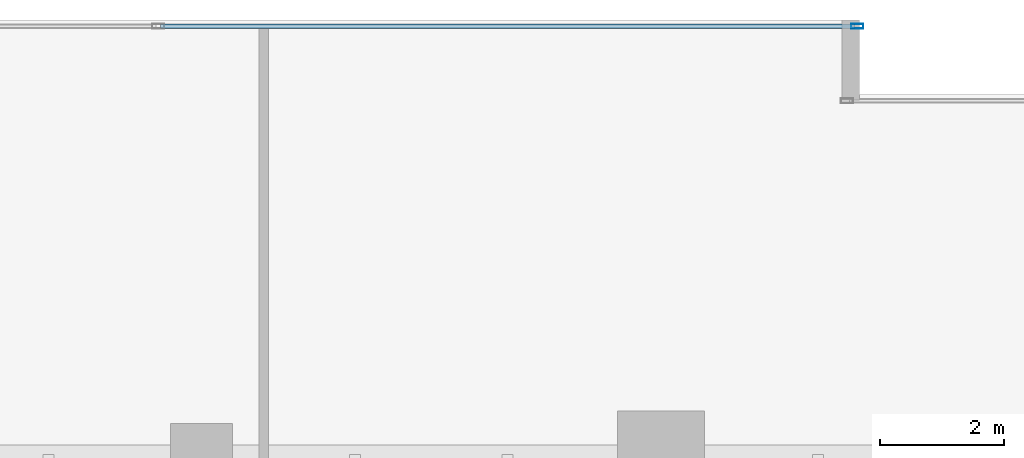
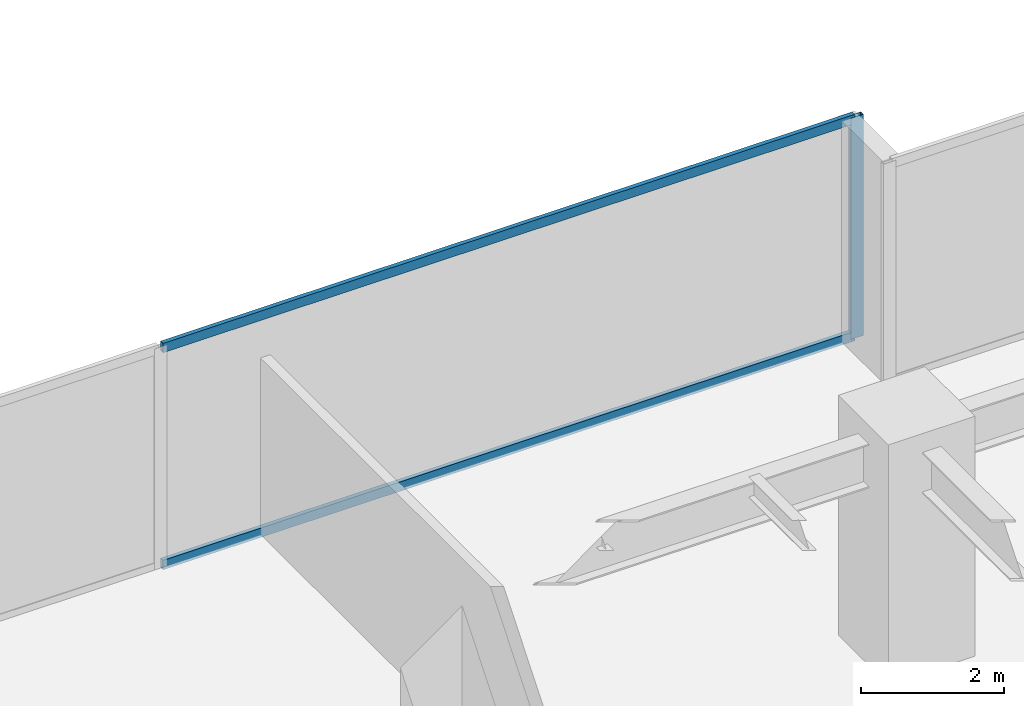
# One storey, part 16 of 35: 3 members, 1 element without a shape of its own.
"""IFC4 building model written with IfcOpenShell, lengths in metres."""

from ifc_helpers import new_model, si_unit, direction, frame, origin, origin_2d, place, context, subcontext, project, spatial, hollow_rectangle, extrude, source, transform, mapped, material, layer, layer_set, material_profile, profile_set, type_object, type_shapes, element, aggregate, save


model = new_model("IFC4")

# Units and contexts
model_context = context("Model", 3, precision=1e-05, world=origin(), true_north=direction((0.0, 1.0)))
body_context = subcontext(model_context, "Body", "Model", "MODEL_VIEW")
ifc_project = project(units=[si_unit("LENGTHUNIT", "METRE"), si_unit("AREAUNIT", "SQUARE_METRE"), si_unit("VOLUMEUNIT", "CUBIC_METRE"), si_unit("PLANEANGLEUNIT", "RADIAN"), si_unit("MASSUNIT", "GRAM", prefix="KILO")], contexts=[model_context])

# Site, building, storey
site_placement = place(None, origin())
site = spatial("IfcSite", under=ifc_project, at=site_placement, CompositionType="ELEMENT")
building_placement = place(site_placement, origin())
building = spatial("IfcBuilding", under=site, at=building_placement, Name="Haelvirn Gate Laboratories", CompositionType="ELEMENT")
storey_placement = place(building_placement, frame((0.0, 0.0, 37.5)))
storey = spatial("IfcBuildingStorey", under=building, at=storey_placement, Name="L09", CompositionType="ELEMENT", Elevation=37.5)

# Curtain wall, members
ifc_material_1 = material(Name="Anodised bronze unitised aluminium & triple low-E glass", Category="aluminium")
ifc_layer = layer(ifc_material_1, 0.18408203125, Name="CW-SYS-2")
ifc_layer_set = layer_set([ifc_layer], Name="Anodised bronze unitised aluminium & triple low-E glass")
curtain_wall_type = type_object("IfcCurtainWallType", Name="CW-SYS-2", PredefinedType="NOTDEFINED", material=ifc_layer_set)
curtain_wall_placement = place(storey_placement, origin())
curtain_wall = element("IfcCurtainWall", 1, at=curtain_wall_placement, inside=storey, type_object=curtain_wall_type, Name="L09 Unitised Curtain Wall CW-L09-P0-E14-1", PredefinedType="NOTDEFINED")
ifc_material_2 = material(Name="Extruded aluminium 6063-T6 (anodised bronze)", Category="aluminium")
ifc_material_profile_1 = material_profile(ifc_material_2, hollow_rectangle(XDim=0.074951171875, YDim=0.199951171875, WallThickness=0.0048828125, at=origin_2d()), Name="CWM-200x75x5")
ifc_profile_set_1 = profile_set([ifc_material_profile_1], Name="Extruded aluminium 6063-T6 (anodised bronze)")
member_type_1 = type_object("IfcMemberType", Name="CWM-T200", PredefinedType="MULLION", material=ifc_profile_set_1)
shared_shape_1 = source(origin(), body_context, "Body", "SweptSolid", [
    extrude(hollow_rectangle(XDim=0.074951171875, YDim=0.199951171875, WallThickness=0.0048828125, at=origin_2d()), origin(), (0.0, 0.0, 1.0), 3.780029296875),
])
type_shapes(member_type_1, [shared_shape_1])
member_1_placement = place(storey_placement, frame((25.362548828125, 48.5, 0.0), z_axis=(0.0, 0.0, 1.0), x_axis=(0.0, 1.0, 0.0)))
member_1 = element("IfcMember", 2, at=member_1_placement, type_object=member_type_1, Name="CW2 mullion 3", PredefinedType="MULLION", context=body_context, shape_type="MappedRepresentation", body=[
    mapped(shared_shape_1, transform((0.0, 0.0, 0.0), scale=1.0)),
])
ifc_material_profile_2 = material_profile(ifc_material_2, hollow_rectangle(XDim=0.070068359375, YDim=0.159912109375, WallThickness=0.0048828125, at=origin_2d()), Name="CWT-160x70x5")
ifc_profile_set_2 = profile_set([ifc_material_profile_2], Name="Extruded aluminium 6063-T6 (anodised bronze)")
member_type_2 = type_object("IfcMemberType", Name="CWT-T160", PredefinedType="USERDEFINED", material=ifc_profile_set_2)
shared_shape_2 = source(origin(), body_context, "Body", "SweptSolid", [
    extrude(hollow_rectangle(XDim=0.070068359375, YDim=0.159912109375, WallThickness=0.0048828125, at=origin_2d()), origin(), (0.0, 0.0, 1.0), 11.1875),
])
type_shapes(member_type_2, [shared_shape_2])
member_2_placement = place(storey_placement, frame((14.137451171875, 48.5, 0.034912109375), z_axis=(1.0, 0.0, 0.0), x_axis=(0.0, 1.0, 0.0)))
member_2 = element("IfcMember", 3, at=member_2_placement, type_object=member_type_2, Name="CW2 transom 2.1", ObjectType="TRANSOM", PredefinedType="USERDEFINED", context=body_context, shape_type="MappedRepresentation", body=[
    mapped(shared_shape_2, transform((0.0, 0.0, 0.0), scale=1.0)),
])
member_3_placement = place(storey_placement, frame((14.137451171875, 48.5, 3.7451171875), z_axis=(1.0, 0.0, 0.0), x_axis=(0.0, 1.0, 0.0)))
member_3 = element("IfcMember", 4, at=member_3_placement, type_object=member_type_2, Name="CW2 transom 2.2", ObjectType="TRANSOM", PredefinedType="USERDEFINED", context=body_context, shape_type="MappedRepresentation", body=[
    mapped(shared_shape_2, transform((0.0, 0.0, 0.0), scale=1.0)),
])
aggregate(curtain_wall, [member_1, member_2, member_3])

save(model, "model.ifc")
